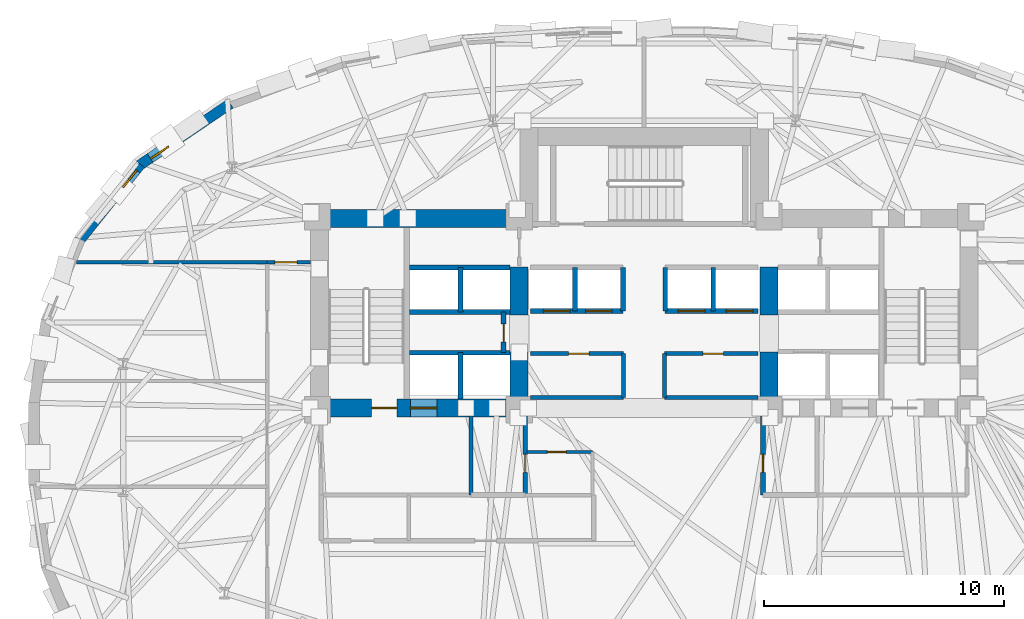
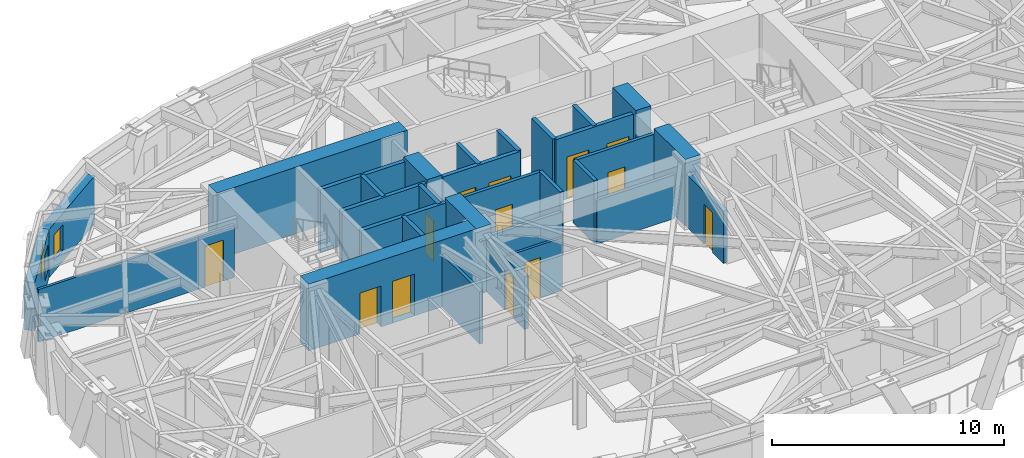
# One storey, part 8 of 14: 32 walls, 13 doors, 2 windows, 15 openings.
"""IFC4 building model written with IfcOpenShell, lengths in metres."""

from ifc_helpers import new_model, si_unit, direction, frame, frame_2d, origin, place, context, subcontext, project, spatial, rectangle, extrude, material, layer, layer_set, type_object, element, fill, save


model = new_model("IFC4")

# Units and contexts
model_context = context("Model", 3, precision=1e-05, world=origin(), true_north=direction((0.0, 1.0)))
body_context = subcontext(model_context, "Body", "Model", "MODEL_VIEW")
ifc_project = project(units=[si_unit("LENGTHUNIT", "METRE"), si_unit("AREAUNIT", "SQUARE_METRE"), si_unit("VOLUMEUNIT", "CUBIC_METRE"), si_unit("PLANEANGLEUNIT", "RADIAN"), si_unit("MASSUNIT", "GRAM", prefix="KILO")], contexts=[model_context])

# Site, building, storey
site_placement = place(None, origin())
site = spatial("IfcSite", under=ifc_project, at=site_placement, CompositionType="ELEMENT")
building_placement = place(site_placement, origin())
building = spatial("IfcBuilding", under=site, at=building_placement, Name="Keldmark Tower", CompositionType="ELEMENT")
storey_placement = place(building_placement, frame((0.0, 0.0, 128.10009765625)))
storey = spatial("IfcBuildingStorey", under=building, at=storey_placement, Name="L34", CompositionType="ELEMENT", Elevation=128.10009765625)

# Wall, opening, door
ifc_material_1 = material(Name="Acoustic Double-Layer Gypsum Corridor Partition", Category="gypsum")
ifc_layer_1 = layer(ifc_material_1, 0.139892578125)
ifc_layer_set_1 = layer_set([ifc_layer_1], Name="Acoustic Double-Layer Gypsum Corridor Partition")
wall_type_1 = type_object("IfcWallType", Name="Acoustic Corridor Partition 140 mm", PredefinedType="PARTITIONING", material=ifc_layer_set_1)
wall_1_placement = place(storey_placement, frame((-15.699951171875, 7.550048828125, 0.0), z_axis=(0.0, 0.0, 1.0), x_axis=(1.0, 0.0, 0.0)))
wall_1 = element("IfcWall", 1, at=wall_1_placement, inside=storey, type_object=wall_type_1, Name="L34 Acoustic Corridor Partition 140 mm COR-WN-CAP", PredefinedType="PARTITIONING", context=body_context, shape_type="SweptSolid", body=[
    extrude(rectangle(XDim=1.800048828125, YDim=0.139892578125, at=frame_2d((0.89990234375, 0.0))), origin(), (0.0, 0.0, 1.0), 2.762939453125),
])
opening_1_placement = place(wall_1_placement, frame((0.320068359375, 0.0, 0.0)))
opening_1 = element("IfcOpeningElement", 2, at=opening_1_placement, cuts=wall_1, Name="Opening D-EX092", PredefinedType="OPENING", context=body_context, shape_type="SweptSolid", body=[
    extrude(rectangle(XDim=0.919921875, YDim=2.14990234375, at=frame_2d((0.4599609375, 1.074951171875))), frame((0.0, 0.079833984375, 0.0), z_axis=(0.0, -1.0, 0.0), x_axis=(1.0, 0.0, 0.0)), (0.0, 0.0, 1.0), 0.159912109375),
])
ifc_material_2 = material(Name="Flush American Ash Executive Office Door", Category="wood")
door_type_1 = type_object("IfcDoorType", Name="Executive Office Door 920x2150", OperationType="NOTDEFINED", PredefinedType="DOOR", material=ifc_material_2)
door_1_placement = place(opening_1_placement, origin())
door_1 = element("IfcDoor", 3, at=door_1_placement, inside=storey, type_object=door_type_1, Name="L34 Executive Office Door 920x2150 D-NRNW-L34", OperationType="SINGLE_SWING_LEFT", OverallHeight=2.14990234375, OverallWidth=0.919921875, PredefinedType="DOOR", context=body_context, shape_type="SweptSolid", body=[
    extrude(rectangle(XDim=0.919921875, YDim=2.14990234375, at=frame_2d((0.4599609375, 1.074951171875))), frame((0.0, 0.02490234375, 0.0), z_axis=(0.0, -1.0, 0.0), x_axis=(1.0, 0.0, 0.0)), (0.0, 0.0, 1.0), 0.050048828125),
])
fill(opening_1, door_1)

ifc_material_3 = material(Name="Acoustic Gypsum Board Interior Partition", Category="gypsum")
ifc_layer_2 = layer(ifc_material_3, 0.1298828125)
ifc_layer_set_2 = layer_set([ifc_layer_2], Name="Acoustic Gypsum Board Interior Partition")
wall_type_2 = type_object("IfcWallType", Name="Interior Partition 130 mm", PredefinedType="PARTITIONING", material=ifc_layer_set_2)
wall_2_placement = place(storey_placement, frame((-4.8798828125, -0.35009765625, 0.0), z_axis=(0.0, 0.0, 1.0), x_axis=(1.0, 0.0, 0.0)))
wall_2 = element("IfcWall", 4, at=wall_2_placement, inside=storey, type_object=wall_type_2, Name="L34 Interior Partition 130 mm CSC-W-N", PredefinedType="PARTITIONING", context=body_context, shape_type="SweptSolid", body=[
    extrude(rectangle(XDim=2.72998046875, YDim=0.1298828125, at=frame_2d((1.364990234375, 0.0))), origin(), (0.0, 0.0, 1.0), 2.762939453125),
])
opening_2_placement = place(wall_2_placement, frame((0.85009765625, 0.0, 0.0)))
opening_2 = element("IfcOpeningElement", 5, at=opening_2_placement, cuts=wall_2, Name="Opening D-CL078", PredefinedType="OPENING", context=body_context, shape_type="SweptSolid", body=[
    extrude(rectangle(XDim=0.780029296875, YDim=2.10009765625, at=frame_2d((0.39013671875, 1.050048828125))), frame((0.0, 0.074951171875, 0.0), z_axis=(0.0, -1.0, 0.0), x_axis=(1.0, 0.0, 0.0)), (0.0, 0.0, 1.0), 0.14990234375),
])
ifc_material_4 = material(Name="Flush Utility Closet Timber Door", Category="wood")
door_type_2 = type_object("IfcDoorType", Name="Closet Door 780x2100", OperationType="NOTDEFINED", PredefinedType="DOOR", material=ifc_material_4)
door_2_placement = place(opening_2_placement, origin())
door_2 = element("IfcDoor", 6, at=door_2_placement, inside=storey, type_object=door_type_2, Name="L34 Closet Door 780x2100 D-CSCW1-L34", OperationType="SINGLE_SWING_RIGHT", OverallHeight=2.10009765625, OverallWidth=0.780029296875, PredefinedType="DOOR", context=body_context, shape_type="SweptSolid", body=[
    extrude(rectangle(XDim=0.780029296875, YDim=2.10009765625, at=frame_2d((0.39013671875, 1.050048828125))), frame((0.0, 0.02490234375, 0.0), z_axis=(0.0, -1.0, 0.0), x_axis=(1.0, 0.0, 0.0)), (0.0, 0.0, 1.0), 0.050048828125),
])
fill(opening_2, door_2)

# Walls
wall_3_placement = place(storey_placement, frame((-23.638671875, 7.550048828125, 0.0), z_axis=(0.0, 0.0, 1.0), x_axis=(1.0, 0.0, 0.0)))
element("IfcWall", 7, at=wall_3_placement, inside=storey, type_object=wall_type_2, Name="L34 Interior Partition 130 mm W-CAP-N", PredefinedType="PARTITIONING", context=body_context, shape_type="SweptSolid", body=[
    extrude(rectangle(XDim=7.938720703125, YDim=0.1298828125, at=frame_2d((3.96923828125, 0.0))), origin(), (0.0, 0.0, 1.0), 2.762939453125),
])
ifc_material_5 = material(Name="Concrete C70/85", Category="concrete")
ifc_layer_3 = layer(ifc_material_5, 0.75)
ifc_layer_set_3 = layer_set([ifc_layer_3], Name="Concrete C70/85")
wall_type_3 = type_object("IfcWallType", Name="Low-Mid Core Shear Wall 750 mm", PredefinedType="SHEAR", material=ifc_layer_set_3)
wall_4_placement = place(storey_placement, frame((-13.89990234375, 9.375, 0.0), z_axis=(0.0, 0.0, 1.0), x_axis=(1.0, 0.0, 0.0)))
element("IfcWall", 8, at=wall_4_placement, inside=storey, type_object=wall_type_3, Name="L34 West Core North Shear Wall", PredefinedType="SHEAR", context=body_context, shape_type="SweptSolid", body=[
    extrude(rectangle(XDim=9.474853515625, YDim=0.75, at=frame_2d((4.7373046875, 0.0))), origin(), (0.0, 0.0, 1.0), 3.5),
])

# Wall, openings, doors
wall_5_placement = place(storey_placement, frame((-4.824951171875, 1.47509765625, 0.0), z_axis=(0.0, 0.0, 1.0), x_axis=(-1.0, 0.0, 0.0)))
wall_5 = element("IfcWall", 9, at=wall_5_placement, inside=storey, type_object=wall_type_3, Name="L34 West Core South Shear Wall", PredefinedType="SHEAR", context=body_context, shape_type="SweptSolid", body=[
    extrude(rectangle(XDim=9.074951171875, YDim=0.75, at=frame_2d((4.53759765625, 0.0))), origin(), (0.0, 0.0, 1.0), 3.5),
])
opening_3_placement = place(wall_5_placement, frame((5.47509765625, 0.0, 0.0)))
opening_3 = element("IfcOpeningElement", 10, at=opening_3_placement, cuts=wall_5, Name="Opening D-ST105", PredefinedType="OPENING", context=body_context, shape_type="SweptSolid", body=[
    extrude(rectangle(XDim=1.050048828125, YDim=2.14990234375, at=frame_2d((0.52490234375, 1.074951171875))), frame((0.0, 0.385009765625, 0.0), z_axis=(0.0, -1.0, 0.0), x_axis=(1.0, 0.0, 0.0)), (0.0, 0.0, 1.0), 0.77001953125),
])
opening_4_placement = place(wall_5_placement, frame((3.804931640625, 0.0, 0.0)))
opening_4 = element("IfcOpeningElement", 11, at=opening_4_placement, cuts=wall_5, Name="Opening LD-110", PredefinedType="OPENING", context=body_context, shape_type="SweptSolid", body=[
    extrude(rectangle(XDim=1.10009765625, YDim=2.199951171875, at=frame_2d((0.550048828125, 1.10009765625))), frame((0.0, 0.385009765625, 0.0), z_axis=(0.0, -1.0, 0.0), x_axis=(1.0, 0.0, 0.0)), (0.0, 0.0, 1.0), 0.77001953125),
])
ifc_material_6 = material(Name="Brushed Bronze Hoistway Sliding Leaf", Category="metal")
door_type_3 = type_object("IfcDoorType", Name="Lift Landing Sliding Door 1100x2200", OperationType="SLIDING_TO_LEFT", PredefinedType="DOOR", material=ifc_material_6)
door_3_placement = place(opening_4_placement, origin())
door_3 = element("IfcDoor", 12, at=door_3_placement, inside=storey, type_object=door_type_3, Name="L34 Lift Landing Sliding Door 1100x2200 LD-EL-FS1-L34", OperationType="SLIDING_TO_LEFT", OverallHeight=2.199951171875, OverallWidth=1.10009765625, PredefinedType="DOOR", context=body_context, shape_type="SweptSolid", body=[
    extrude(rectangle(XDim=1.10009765625, YDim=2.199951171875, at=frame_2d((0.550048828125, 1.10009765625))), frame((0.0, 0.02490234375, 0.0), z_axis=(0.0, -1.0, 0.0), x_axis=(1.0, 0.0, 0.0)), (0.0, 0.0, 1.0), 0.050048828125),
])
fill(opening_4, door_3)
ifc_material_7 = material(Name="Hollow Metal Fire-Rated Door Assembly", Category="metal")
door_type_4 = type_object("IfcDoorType", Name="Stair Fire Door 1050x2150", OperationType="NOTDEFINED", PredefinedType="DOOR", material=ifc_material_7)
door_4_placement = place(opening_3_placement, origin())
door_4 = element("IfcDoor", 13, at=door_4_placement, inside=storey, type_object=door_type_4, Name="L34 Stair Fire Door 1050x2150 D-ST1-L34", OperationType="SINGLE_SWING_RIGHT", OverallHeight=2.14990234375, OverallWidth=1.050048828125, PredefinedType="DOOR", context=body_context, shape_type="SweptSolid", body=[
    extrude(rectangle(XDim=1.050048828125, YDim=2.14990234375, at=frame_2d((0.52490234375, 1.074951171875))), frame((0.0, 0.02490234375, 0.0), z_axis=(0.0, -1.0, 0.0), x_axis=(1.0, 0.0, 0.0)), (0.0, 0.0, 1.0), 0.050048828125),
])
fill(opening_3, door_4)

# Walls
wall_6_placement = place(storey_placement, frame((-5.199951171875, 1.10009765625, 0.0), z_axis=(0.0, 0.0, 1.0), x_axis=(0.0, 1.0, 0.0)))
element("IfcWall", 14, at=wall_6_placement, inside=storey, type_object=wall_type_3, Name="L34 West Core Inner Shear Pier South", PredefinedType="SHEAR", context=body_context, shape_type="SweptSolid", body=[
    extrude(rectangle(XDim=2.699951171875, YDim=0.75, at=frame_2d((1.35009765625, 0.0))), origin(), (0.0, 0.0, 1.0), 3.5),
])
wall_7_placement = place(storey_placement, frame((-5.199951171875, 5.35009765625, 0.0), z_axis=(0.0, 0.0, 1.0), x_axis=(0.0, 1.0, 0.0)))
element("IfcWall", 15, at=wall_7_placement, inside=storey, type_object=wall_type_3, Name="L34 West Core Inner Shear Pier North", PredefinedType="SHEAR", context=body_context, shape_type="SweptSolid", body=[
    extrude(rectangle(XDim=2.0, YDim=0.75, at=frame_2d((1.0, 0.0))), origin(), (0.0, 0.0, 1.0), 3.5),
])
wall_8_placement = place(storey_placement, frame((5.199951171875, 1.10009765625, 0.0), z_axis=(0.0, 0.0, 1.0), x_axis=(0.0, 1.0, 0.0)))
element("IfcWall", 16, at=wall_8_placement, inside=storey, type_object=wall_type_3, Name="L34 East Core Inner Shear Pier South", PredefinedType="SHEAR", context=body_context, shape_type="SweptSolid", body=[
    extrude(rectangle(XDim=2.699951171875, YDim=0.75, at=frame_2d((1.35009765625, 0.0))), origin(), (0.0, 0.0, 1.0), 3.5),
])
wall_9_placement = place(storey_placement, frame((5.199951171875, 5.35009765625, 0.0), z_axis=(0.0, 0.0, 1.0), x_axis=(0.0, 1.0, 0.0)))
element("IfcWall", 17, at=wall_9_placement, inside=storey, type_object=wall_type_3, Name="L34 East Core Inner Shear Pier North", PredefinedType="SHEAR", context=body_context, shape_type="SweptSolid", body=[
    extrude(rectangle(XDim=2.0, YDim=0.75, at=frame_2d((1.0, 0.0))), origin(), (0.0, 0.0, 1.0), 3.5),
])
ifc_material_8 = material(Name="Type X Fire-Rated Gypsum Partition Assembly", Category="gypsum")
ifc_layer_4 = layer(ifc_material_8, 0.1650390625)
ifc_layer_set_4 = layer_set([ifc_layer_4], Name="Type X Fire-Rated Gypsum Partition Assembly")
wall_type_4 = type_object("IfcWallType", Name="Rated Partition 165 mm", PredefinedType="PARTITIONING", material=ifc_layer_set_4)
wall_10_placement = place(storey_placement, frame((-7.199951171875, -2.14990234375, 0.0), z_axis=(0.0, 0.0, 1.0), x_axis=(0.0, 1.0, 0.0)))
element("IfcWall", 18, at=wall_10_placement, inside=storey, type_object=wall_type_4, Name="L34 Rated Partition 165 mm FSAE-W-E", PredefinedType="PARTITIONING", context=body_context, shape_type="SweptSolid", body=[
    extrude(rectangle(XDim=3.2998046875, YDim=0.1650390625, at=frame_2d((1.64990234375, 0.0))), origin(), (0.0, 0.0, 1.0), 2.762939453125),
])
wall_11_placement = place(storey_placement, frame((-4.739990234375, 1.919921875, 0.0), z_axis=(0.0, 0.0, 1.0), x_axis=(1.0, 0.0, 0.0)))
element("IfcWall", 19, at=wall_11_placement, inside=storey, type_object=wall_type_4, Name="L34 Rated Partition 165 mm REC-LW-S", PredefinedType="PARTITIONING", context=body_context, shape_type="SweptSolid", body=[
    extrude(rectangle(XDim=3.889892578125, YDim=0.1650390625, at=frame_2d((1.94482421875, 0.0))), origin(), (0.0, 0.0, 1.0), 2.2998046875),
])

# Wall, opening, door
wall_12_placement = place(storey_placement, frame((-4.739990234375, 3.739990234375, 0.0), z_axis=(0.0, 0.0, 1.0), x_axis=(1.0, 0.0, 0.0)))
wall_12 = element("IfcWall", 20, at=wall_12_placement, inside=storey, type_object=wall_type_4, Name="L34 Rated Partition 165 mm REC-LW-N", PredefinedType="PARTITIONING", context=body_context, shape_type="SweptSolid", body=[
    extrude(rectangle(XDim=3.889892578125, YDim=0.1650390625, at=frame_2d((1.94482421875, 0.0))), origin(), (0.0, 0.0, 1.0), 3.309814453125),
])
opening_5_placement = place(wall_12_placement, frame((1.60009765625, 0.0, 0.0)))
opening_5 = element("IfcOpeningElement", 21, at=opening_5_placement, cuts=wall_12, Name="Opening D-SV085", PredefinedType="OPENING", context=body_context, shape_type="SweptSolid", body=[
    extrude(rectangle(XDim=0.85009765625, YDim=2.10009765625, at=frame_2d((0.425048828125, 1.050048828125))), frame((0.0, 0.092529296875, 0.0), z_axis=(0.0, -1.0, 0.0), x_axis=(1.0, 0.0, 0.0)), (0.0, 0.0, 1.0), 0.18505859375),
])
ifc_material_9 = material(Name="Painted Hollow Metal Door Assembly", Category="metal")
door_type_5 = type_object("IfcDoorType", Name="Service Door 850x2100", OperationType="NOTDEFINED", PredefinedType="DOOR", material=ifc_material_9)
door_5_placement = place(opening_5_placement, origin())
door_5 = element("IfcDoor", 22, at=door_5_placement, inside=storey, type_object=door_type_5, Name="L34 Service Door 850x2100 D-RECLW1-L34", OperationType="SINGLE_SWING_LEFT", OverallHeight=2.10009765625, OverallWidth=0.85009765625, PredefinedType="DOOR", context=body_context, shape_type="SweptSolid", body=[
    extrude(rectangle(XDim=0.85009765625, YDim=2.10009765625, at=frame_2d((0.425048828125, 1.050048828125))), frame((0.0, 0.02490234375, 0.0), z_axis=(0.0, -1.0, 0.0), x_axis=(1.0, 0.0, 0.0)), (0.0, 0.0, 1.0), 0.050048828125),
])
fill(opening_5, door_5)

# Walls
wall_13_placement = place(storey_placement, frame((-0.85009765625, 1.919921875, 0.0), z_axis=(0.0, 0.0, 1.0), x_axis=(0.0, 1.0, 0.0)))
element("IfcWall", 23, at=wall_13_placement, inside=storey, type_object=wall_type_4, Name="L34 Rated Partition 165 mm REC-LW-E", PredefinedType="PARTITIONING", context=body_context, shape_type="SweptSolid", body=[
    extrude(rectangle(XDim=1.820068359375, YDim=0.1650390625, at=frame_2d((0.91015625, 0.0))), origin(), (0.0, 0.0, 1.0), 3.309814453125),
])
wall_14_placement = place(storey_placement, frame((0.85009765625, 1.919921875, 0.0), z_axis=(0.0, 0.0, 1.0), x_axis=(1.0, 0.0, 0.0)))
element("IfcWall", 24, at=wall_14_placement, inside=storey, type_object=wall_type_4, Name="L34 Rated Partition 165 mm REC-LE-S", PredefinedType="PARTITIONING", context=body_context, shape_type="SweptSolid", body=[
    extrude(rectangle(XDim=3.889892578125, YDim=0.1650390625, at=frame_2d((1.94482421875, 0.0))), origin(), (0.0, 0.0, 1.0), 2.2998046875),
])

# Wall, opening, door
wall_15_placement = place(storey_placement, frame((0.85009765625, 3.739990234375, 0.0), z_axis=(0.0, 0.0, 1.0), x_axis=(1.0, 0.0, 0.0)))
wall_15 = element("IfcWall", 25, at=wall_15_placement, inside=storey, type_object=wall_type_4, Name="L34 Rated Partition 165 mm REC-LE-N", PredefinedType="PARTITIONING", context=body_context, shape_type="SweptSolid", body=[
    extrude(rectangle(XDim=3.889892578125, YDim=0.1650390625, at=frame_2d((1.94482421875, 0.0))), origin(), (0.0, 0.0, 1.0), 3.309814453125),
])
opening_6_placement = place(wall_15_placement, frame((1.60009765625, 0.0, 0.0)))
opening_6 = element("IfcOpeningElement", 26, at=opening_6_placement, cuts=wall_15, Name="Opening D-SV085", PredefinedType="OPENING", context=body_context, shape_type="SweptSolid", body=[
    extrude(rectangle(XDim=0.85009765625, YDim=2.10009765625, at=frame_2d((0.425048828125, 1.050048828125))), frame((0.0, 0.092529296875, 0.0), z_axis=(0.0, -1.0, 0.0), x_axis=(1.0, 0.0, 0.0)), (0.0, 0.0, 1.0), 0.18505859375),
])
door_6_placement = place(opening_6_placement, origin())
door_6 = element("IfcDoor", 27, at=door_6_placement, inside=storey, type_object=door_type_5, Name="L34 Service Door 850x2100 D-RECLE1-L34", OperationType="SINGLE_SWING_RIGHT", OverallHeight=2.10009765625, OverallWidth=0.85009765625, PredefinedType="DOOR", context=body_context, shape_type="SweptSolid", body=[
    extrude(rectangle(XDim=0.85009765625, YDim=2.10009765625, at=frame_2d((0.425048828125, 1.050048828125))), frame((0.0, 0.02490234375, 0.0), z_axis=(0.0, -1.0, 0.0), x_axis=(1.0, 0.0, 0.0)), (0.0, 0.0, 1.0), 0.050048828125),
])
fill(opening_6, door_6)

# Wall
wall_16_placement = place(storey_placement, frame((0.85009765625, 1.919921875, 0.0), z_axis=(0.0, 0.0, 1.0), x_axis=(0.0, 1.0, 0.0)))
element("IfcWall", 28, at=wall_16_placement, inside=storey, type_object=wall_type_4, Name="L34 Rated Partition 165 mm REC-LE-W", PredefinedType="PARTITIONING", context=body_context, shape_type="SweptSolid", body=[
    extrude(rectangle(XDim=1.820068359375, YDim=0.1650390625, at=frame_2d((0.91015625, 0.0))), origin(), (0.0, 0.0, 1.0), 3.309814453125),
])

# Wall, opening, door
ifc_material_10 = material(Name="Fire-Resistant Type X Gypsum Shaftliner Coreboard", Category="gypsum")
ifc_layer_5 = layer(ifc_material_10, 0.199951171875)
ifc_layer_set_5 = layer_set([ifc_layer_5], Name="Fire-Resistant Type X Gypsum Shaftliner Coreboard")
wall_type_5 = type_object("IfcWallType", Name="Shaft Wall 200 mm", PredefinedType="SOLIDWALL", material=ifc_layer_set_5)
wall_17_placement = place(storey_placement, frame((-4.949951171875, -2.14990234375, 0.0), z_axis=(0.0, 0.0, 1.0), x_axis=(0.0, 1.0, 0.0)))
wall_17 = element("IfcWall", 29, at=wall_17_placement, inside=storey, type_object=wall_type_5, Name="L34 Shaft Wall 200 mm RIS-SW-E", PredefinedType="SOLIDWALL", context=body_context, shape_type="SweptSolid", body=[
    extrude(rectangle(XDim=3.2998046875, YDim=0.199951171875, at=frame_2d((1.64990234375, 0.0))), origin(), (0.0, 0.0, 1.0), 2.762939453125),
])
opening_7_placement = place(wall_17_placement, frame((0.949951171875, 0.0, 0.0)))
opening_7 = element("IfcOpeningElement", 30, at=opening_7_placement, cuts=wall_17, Name="Opening D-RS075", PredefinedType="OPENING", context=body_context, shape_type="SweptSolid", body=[
    extrude(rectangle(XDim=0.75, YDim=2.10009765625, at=frame_2d((0.375, 1.050048828125))), frame((0.0, 0.10986328125, 0.0), z_axis=(0.0, -1.0, 0.0), x_axis=(1.0, 0.0, 0.0)), (0.0, 0.0, 1.0), 0.219970703125),
])
ifc_material_11 = material(Name="Galvanized Fire-Rated Access Leaf", Category="metal")
door_type_6 = type_object("IfcDoorType", Name="Riser Access Door 750x2100", OperationType="NOTDEFINED", PredefinedType="DOOR", material=ifc_material_11)
door_7_placement = place(opening_7_placement, origin())
door_7 = element("IfcDoor", 31, at=door_7_placement, inside=storey, type_object=door_type_6, Name="L34 Riser Access Door 750x2100 D-RISSW-L34", OperationType="SINGLE_SWING_RIGHT", OverallHeight=2.10009765625, OverallWidth=0.75, PredefinedType="DOOR", context=body_context, shape_type="SweptSolid", body=[
    extrude(rectangle(XDim=0.75, YDim=2.10009765625, at=frame_2d((0.375, 1.050048828125))), frame((0.0, 0.02490234375, 0.0), z_axis=(0.0, -1.0, 0.0), x_axis=(1.0, 0.0, 0.0)), (0.0, 0.0, 1.0), 0.050048828125),
])
fill(opening_7, door_7)

wall_18_placement = place(storey_placement, frame((4.949951171875, -2.14990234375, 0.0), z_axis=(0.0, 0.0, 1.0), x_axis=(0.0, 1.0, 0.0)))
wall_18 = element("IfcWall", 32, at=wall_18_placement, inside=storey, type_object=wall_type_5, Name="L34 Shaft Wall 200 mm RIS-SE-W", PredefinedType="SOLIDWALL", context=body_context, shape_type="SweptSolid", body=[
    extrude(rectangle(XDim=3.2998046875, YDim=0.199951171875, at=frame_2d((1.64990234375, 0.0))), origin(), (0.0, 0.0, 1.0), 2.762939453125),
])
opening_8_placement = place(wall_18_placement, frame((0.949951171875, 0.0, 0.0)))
opening_8 = element("IfcOpeningElement", 33, at=opening_8_placement, cuts=wall_18, Name="Opening D-RS075", PredefinedType="OPENING", context=body_context, shape_type="SweptSolid", body=[
    extrude(rectangle(XDim=0.75, YDim=2.10009765625, at=frame_2d((0.375, 1.050048828125))), frame((0.0, 0.10986328125, 0.0), z_axis=(0.0, -1.0, 0.0), x_axis=(1.0, 0.0, 0.0)), (0.0, 0.0, 1.0), 0.219970703125),
])
door_8_placement = place(opening_8_placement, origin())
door_8 = element("IfcDoor", 34, at=door_8_placement, inside=storey, type_object=door_type_6, Name="L34 Riser Access Door 750x2100 D-RISSE-L34", OperationType="SINGLE_SWING_LEFT", OverallHeight=2.10009765625, OverallWidth=0.75, PredefinedType="DOOR", context=body_context, shape_type="SweptSolid", body=[
    extrude(rectangle(XDim=0.75, YDim=2.10009765625, at=frame_2d((0.375, 1.050048828125))), frame((0.0, 0.02490234375, 0.0), z_axis=(0.0, -1.0, 0.0), x_axis=(1.0, 0.0, 0.0)), (0.0, 0.0, 1.0), 0.050048828125),
])
fill(opening_8, door_8)

# Walls
wall_19_placement = place(storey_placement, frame((-9.780029296875, 3.780029296875, 0.0), z_axis=(0.0, 0.0, 1.0), x_axis=(1.0, 0.0, 0.0)))
element("IfcWall", 35, at=wall_19_placement, inside=storey, type_object=wall_type_5, Name="L34 Shaft Wall 200 mm HW-W-S", PredefinedType="SOLIDWALL", context=body_context, shape_type="SweptSolid", body=[
    extrude(rectangle(XDim=4.205078125, YDim=0.199951171875, at=frame_2d((2.1025390625, 0.0))), origin(), (0.0, 0.0, 1.0), 3.309814453125),
])
wall_20_placement = place(storey_placement, frame((-7.64990234375, 1.85009765625, 0.0), z_axis=(0.0, 0.0, 1.0), x_axis=(0.0, 1.0, 0.0)))
element("IfcWall", 36, at=wall_20_placement, inside=storey, type_object=wall_type_5, Name="L34 Shaft Wall 200 mm HW-W-M", PredefinedType="SOLIDWALL", context=body_context, shape_type="SweptSolid", body=[
    extrude(rectangle(XDim=1.929931640625, YDim=0.199951171875, at=frame_2d((0.96484375, 0.0))), origin(), (0.0, 0.0, 1.0), 3.309814453125),
])
for number, where, z_axis, x_axis, name in (
    (37, (-9.780029296875, 5.469970703125, 0.0), (0.0, 0.0, 1.0), (1.0, 0.0, 0.0), "L34 Shaft Wall 200 mm HW-W-N"),
    (38, (-9.780029296875, 7.330078125, 0.0), (0.0, 0.0, 1.0), (1.0, 0.0, 0.0), "L34 Shaft Wall 200 mm HW-W-TOP"),
):
    element("IfcWall", number, at=place(storey_placement, frame(where, z_axis=z_axis, x_axis=x_axis)), inside=storey, type_object=wall_type_5, Name=name, PredefinedType="SOLIDWALL", context=body_context, shape_type="SweptSolid", body=[
        extrude(rectangle(XDim=4.205078125, YDim=0.199951171875, at=frame_2d((2.1025390625, 0.0))), origin(), (0.0, 0.0, 1.0), 3.309814453125),
    ])
wall_21_placement = place(storey_placement, frame((-7.64990234375, 5.469970703125, 0.0), z_axis=(0.0, 0.0, 1.0), x_axis=(0.0, 1.0, 0.0)))
element("IfcWall", 39, at=wall_21_placement, inside=storey, type_object=wall_type_5, Name="L34 Shaft Wall 200 mm HW-W-NM", PredefinedType="SOLIDWALL", context=body_context, shape_type="SweptSolid", body=[
    extrude(rectangle(XDim=1.860107421875, YDim=0.199951171875, at=frame_2d((0.93017578125, 0.0))), origin(), (0.0, 0.0, 1.0), 3.309814453125),
])

# Wall, opening, door
wall_22_placement = place(storey_placement, frame((-5.85009765625, 3.780029296875, 0.0), z_axis=(0.0, 0.0, 1.0), x_axis=(0.0, 1.0, 0.0)))
wall_22 = element("IfcWall", 40, at=wall_22_placement, inside=storey, type_object=wall_type_5, Name="L34 Shaft Wall 200 mm HW-W-CLOSE", PredefinedType="SOLIDWALL", context=body_context, shape_type="SweptSolid", body=[
    extrude(rectangle(XDim=1.68994140625, YDim=0.199951171875, at=frame_2d((0.844970703125, 0.0))), origin(), (0.0, 0.0, 1.0), 3.309814453125),
])
opening_9_placement = place(wall_22_placement, frame((0.449951171875, 0.0, 0.0)))
opening_9 = element("IfcOpeningElement", 41, at=opening_9_placement, cuts=wall_22, Name="Opening D-RS075", PredefinedType="OPENING", context=body_context, shape_type="SweptSolid", body=[
    extrude(rectangle(XDim=0.75, YDim=2.10009765625, at=frame_2d((0.375, 1.050048828125))), frame((0.0, 0.10986328125, 0.0), z_axis=(0.0, -1.0, 0.0), x_axis=(1.0, 0.0, 0.0)), (0.0, 0.0, 1.0), 0.219970703125),
])
door_9_placement = place(opening_9_placement, origin())
door_9 = element("IfcDoor", 42, at=door_9_placement, inside=storey, type_object=door_type_6, Name="L34 Riser Access Door 750x2100 D-RISHW-L34", OperationType="SINGLE_SWING_RIGHT", OverallHeight=2.10009765625, OverallWidth=0.75, PredefinedType="DOOR", context=body_context, shape_type="SweptSolid", body=[
    extrude(rectangle(XDim=0.75, YDim=2.10009765625, at=frame_2d((0.375, 1.050048828125))), frame((0.0, 0.02490234375, 0.0), z_axis=(0.0, -1.0, 0.0), x_axis=(1.0, 0.0, 0.0)), (0.0, 0.0, 1.0), 0.050048828125),
])
fill(opening_9, door_9)

# Wall, openings, doors
wall_23_placement = place(storey_placement, frame((-4.739990234375, 5.52001953125, 0.0), z_axis=(0.0, 0.0, 1.0), x_axis=(1.0, 0.0, 0.0)))
wall_23 = element("IfcWall", 43, at=wall_23_placement, inside=storey, type_object=wall_type_5, Name="L34 Shaft Wall 200 mm MID-S-W", PredefinedType="SOLIDWALL", context=body_context, shape_type="SweptSolid", body=[
    extrude(rectangle(XDim=3.860107421875, YDim=0.199951171875, at=frame_2d((1.93017578125, 0.0))), origin(), (0.0, 0.0, 1.0), 3.309814453125),
])
opening_10_placement = place(wall_23_placement, frame((0.550048828125, 0.0, 0.0)))
opening_10 = element("IfcOpeningElement", 44, at=opening_10_placement, cuts=wall_23, Name="Opening LD-110", PredefinedType="OPENING", context=body_context, shape_type="SweptSolid", body=[
    extrude(rectangle(XDim=1.10009765625, YDim=2.199951171875, at=frame_2d((0.550048828125, 1.10009765625))), frame((0.0, 0.10986328125, 0.0), z_axis=(0.0, -1.0, 0.0), x_axis=(1.0, 0.0, 0.0)), (0.0, 0.0, 1.0), 0.219970703125),
])
opening_11_placement = place(wall_23_placement, frame((2.300048828125, 0.0, 0.0)))
opening_11 = element("IfcOpeningElement", 45, at=opening_11_placement, cuts=wall_23, Name="Opening LD-110", PredefinedType="OPENING", context=body_context, shape_type="SweptSolid", body=[
    extrude(rectangle(XDim=1.10009765625, YDim=2.199951171875, at=frame_2d((0.550048828125, 1.10009765625))), frame((0.0, 0.10986328125, 0.0), z_axis=(0.0, -1.0, 0.0), x_axis=(1.0, 0.0, 0.0)), (0.0, 0.0, 1.0), 0.219970703125),
])
door_10_placement = place(opening_10_placement, origin())
door_10 = element("IfcDoor", 46, at=door_10_placement, inside=storey, type_object=door_type_3, Name="L34 Lift Landing Sliding Door 1100x2200 LD-EL-M1-L34", OperationType="SLIDING_TO_LEFT", OverallHeight=2.199951171875, OverallWidth=1.10009765625, PredefinedType="DOOR", context=body_context, shape_type="SweptSolid", body=[
    extrude(rectangle(XDim=1.10009765625, YDim=2.199951171875, at=frame_2d((0.550048828125, 1.10009765625))), frame((0.0, 0.02490234375, 0.0), z_axis=(0.0, -1.0, 0.0), x_axis=(1.0, 0.0, 0.0)), (0.0, 0.0, 1.0), 0.050048828125),
])
fill(opening_10, door_10)
door_11_placement = place(opening_11_placement, origin())
door_11 = element("IfcDoor", 47, at=door_11_placement, inside=storey, type_object=door_type_3, Name="L34 Lift Landing Sliding Door 1100x2200 LD-EL-M2-L34", OperationType="SLIDING_TO_LEFT", OverallHeight=2.199951171875, OverallWidth=1.10009765625, PredefinedType="DOOR", context=body_context, shape_type="SweptSolid", body=[
    extrude(rectangle(XDim=1.10009765625, YDim=2.199951171875, at=frame_2d((0.550048828125, 1.10009765625))), frame((0.0, 0.02490234375, 0.0), z_axis=(0.0, -1.0, 0.0), x_axis=(1.0, 0.0, 0.0)), (0.0, 0.0, 1.0), 0.050048828125),
])
fill(opening_11, door_11)

wall_24_placement = place(storey_placement, frame((0.8798828125, 5.52001953125, 0.0), z_axis=(0.0, 0.0, 1.0), x_axis=(1.0, 0.0, 0.0)))
wall_24 = element("IfcWall", 48, at=wall_24_placement, inside=storey, type_object=wall_type_5, Name="L34 Shaft Wall 200 mm MID-S-E", PredefinedType="SOLIDWALL", context=body_context, shape_type="SweptSolid", body=[
    extrude(rectangle(XDim=3.860107421875, YDim=0.199951171875, at=frame_2d((1.93017578125, 0.0))), origin(), (0.0, 0.0, 1.0), 3.309814453125),
])
opening_12_placement = place(wall_24_placement, frame((0.550048828125, 0.0, 0.0)))
opening_12 = element("IfcOpeningElement", 49, at=opening_12_placement, cuts=wall_24, Name="Opening LD-110", PredefinedType="OPENING", context=body_context, shape_type="SweptSolid", body=[
    extrude(rectangle(XDim=1.10009765625, YDim=2.199951171875, at=frame_2d((0.550048828125, 1.10009765625))), frame((0.0, 0.10986328125, 0.0), z_axis=(0.0, -1.0, 0.0), x_axis=(1.0, 0.0, 0.0)), (0.0, 0.0, 1.0), 0.219970703125),
])
opening_13_placement = place(wall_24_placement, frame((2.550048828125, 0.0, 0.0)))
opening_13 = element("IfcOpeningElement", 50, at=opening_13_placement, cuts=wall_24, Name="Opening LD-110", PredefinedType="OPENING", context=body_context, shape_type="SweptSolid", body=[
    extrude(rectangle(XDim=1.10009765625, YDim=2.199951171875, at=frame_2d((0.550048828125, 1.10009765625))), frame((0.0, 0.10986328125, 0.0), z_axis=(0.0, -1.0, 0.0), x_axis=(1.0, 0.0, 0.0)), (0.0, 0.0, 1.0), 0.219970703125),
])
door_12_placement = place(opening_12_placement, origin())
door_12 = element("IfcDoor", 51, at=door_12_placement, inside=storey, type_object=door_type_3, Name="L34 Lift Landing Sliding Door 1100x2200 LD-EL-M3-L34", OperationType="SLIDING_TO_LEFT", OverallHeight=2.199951171875, OverallWidth=1.10009765625, PredefinedType="DOOR", context=body_context, shape_type="SweptSolid", body=[
    extrude(rectangle(XDim=1.10009765625, YDim=2.199951171875, at=frame_2d((0.550048828125, 1.10009765625))), frame((0.0, 0.02490234375, 0.0), z_axis=(0.0, -1.0, 0.0), x_axis=(1.0, 0.0, 0.0)), (0.0, 0.0, 1.0), 0.050048828125),
])
fill(opening_12, door_12)
door_13_placement = place(opening_13_placement, origin())
door_13 = element("IfcDoor", 52, at=door_13_placement, inside=storey, type_object=door_type_3, Name="L34 Lift Landing Sliding Door 1100x2200 LD-EL-M4-L34", OperationType="SLIDING_TO_LEFT", OverallHeight=2.199951171875, OverallWidth=1.10009765625, PredefinedType="DOOR", context=body_context, shape_type="SweptSolid", body=[
    extrude(rectangle(XDim=1.10009765625, YDim=2.199951171875, at=frame_2d((0.550048828125, 1.10009765625))), frame((0.0, 0.02490234375, 0.0), z_axis=(0.0, -1.0, 0.0), x_axis=(1.0, 0.0, 0.0)), (0.0, 0.0, 1.0), 0.050048828125),
])
fill(opening_13, door_13)

# Walls
for number, where, z_axis, x_axis, name in (
    (53, (-2.8798828125, 5.52001953125, 0.0), (0.0, 0.0, 1.0), (0.0, 1.0, 0.0), "L34 Shaft Wall 200 mm MID-M-W"),
    (54, (2.8798828125, 5.52001953125, 0.0), (0.0, 0.0, 1.0), (0.0, 1.0, 0.0), "L34 Shaft Wall 200 mm MID-M-E"),
    (55, (-0.8798828125, 5.52001953125, 0.0), (0.0, 0.0, 1.0), (0.0, 1.0, 0.0), "L34 Shaft Wall 200 mm MID-C-W"),
    (56, (0.8798828125, 5.52001953125, 0.0), (0.0, 0.0, 1.0), (0.0, 1.0, 0.0), "L34 Shaft Wall 200 mm MID-C-E"),
):
    element("IfcWall", number, at=place(storey_placement, frame(where, z_axis=z_axis, x_axis=x_axis)), inside=storey, type_object=wall_type_5, Name=name, PredefinedType="SOLIDWALL", context=body_context, shape_type="SweptSolid", body=[
        extrude(rectangle(XDim=1.81005859375, YDim=0.199951171875, at=frame_2d((0.905029296875, 0.0))), origin(), (0.0, 0.0, 1.0), 3.309814453125),
    ])

# Wall, opening, window
ifc_material_12 = material(Name="Ironspot Manganese Brick and Kasota Buff Limestone Spandrel Assembly", Category="masonry")
ifc_layer_6 = layer(ifc_material_12, 0.43994140625)
ifc_layer_set_6 = layer_set([ifc_layer_6], Name="Ironspot Manganese Brick and Kasota Buff Limestone Spandrel Assembly")
wall_type_6 = type_object("IfcWallType", Name="Tower Brick Pier and Spandrel Wall 440 mm", PredefinedType="STANDARD", material=ifc_layer_set_6)
wall_25_placement = place(storey_placement, frame((-21.023681640625, 11.5849609375, 0.0), z_axis=(0.0, 0.0, 1.0), x_axis=(0.827687941294, 0.561188624116, 0.0)))
wall_25 = element("IfcWall", 57, at=wall_25_placement, inside=storey, type_object=wall_type_6, Name="L34 Exterior Brick and Spandrel Wall 12", PredefinedType="STANDARD", context=body_context, shape_type="SweptSolid", body=[
    extrude(rectangle(XDim=4.58154296875, YDim=0.43994140625, at=frame_2d((2.290771484375, 0.0))), origin(), (0.0, 0.0, 1.0), 2.52783203125),
])
opening_14_placement = place(wall_25_placement, frame((0.548095703125, 0.0, 0.580078125)))
opening_14 = element("IfcOpeningElement", 58, at=opening_14_placement, cuts=wall_25, Name="Opening W-09", PredefinedType="OPENING", context=body_context, shape_type="SweptSolid", body=[
    extrude(rectangle(XDim=0.89990234375, YDim=1.35009765625, at=frame_2d((0.449951171875, 0.675048828125))), frame((0.0, 0.22998046875, 0.0), z_axis=(0.0, -1.0, 0.0), x_axis=(1.0, 0.0, 0.0)), (0.0, 0.0, 1.0), 0.4599609375),
])
ifc_material_13 = material(Name="Thermally Broken Anodized Aluminum and Triple Low-E Argon Glazing", Category="aluminium")
window_type = type_object("IfcWindowType", Name="Corner Pier Deep-Set Window 900x1350", PartitioningType="SINGLE_PANEL", PredefinedType="WINDOW", material=ifc_material_13)
window_1_placement = place(opening_14_placement, origin())
window_1 = element("IfcWindow", 59, at=window_1_placement, inside=storey, type_object=window_type, Name="L34 Deep-Set Window 12", OverallHeight=1.35009765625, OverallWidth=0.89990234375, PartitioningType="SINGLE_PANEL", PredefinedType="WINDOW", context=body_context, shape_type="SweptSolid", body=[
    extrude(rectangle(XDim=0.89990234375, YDim=1.35009765625, at=frame_2d((0.449951171875, 0.675048828125))), frame((0.0, -0.010009765625, 0.0), z_axis=(0.0, -1.0, 0.0), x_axis=(1.0, 0.0, 0.0)), (0.0, 0.0, 1.0), 0.06005859375),
])
fill(opening_14, window_1)

wall_26_placement = place(storey_placement, frame((-23.522705078125, 8.449462890625, 0.0), z_axis=(0.0, 0.0, 1.0), x_axis=(0.625169926256, 0.780488669556, 0.0)))
wall_26 = element("IfcWall", 60, at=wall_26_placement, inside=storey, type_object=wall_type_6, Name="L34 Exterior Brick and Spandrel Wall 13", PredefinedType="STANDARD", context=body_context, shape_type="SweptSolid", body=[
    extrude(rectangle(XDim=4.07421875, YDim=0.43994140625, at=frame_2d((2.037109375, 0.0))), origin(), (0.0, 0.0, 1.0), 2.52783203125),
])
opening_15_placement = place(wall_26_placement, frame((2.875244140625, 0.0, 0.580078125)))
opening_15 = element("IfcOpeningElement", 61, at=opening_15_placement, cuts=wall_26, Name="Opening W-09", PredefinedType="OPENING", context=body_context, shape_type="SweptSolid", body=[
    extrude(rectangle(XDim=0.89990234375, YDim=1.35009765625, at=frame_2d((0.449951171875, 0.675048828125))), frame((0.0, 0.22998046875, 0.0), z_axis=(0.0, -1.0, 0.0), x_axis=(1.0, 0.0, 0.0)), (0.0, 0.0, 1.0), 0.4599609375),
])
window_2_placement = place(opening_15_placement, origin())
window_2 = element("IfcWindow", 62, at=window_2_placement, inside=storey, type_object=window_type, Name="L34 Deep-Set Window 13", OverallHeight=1.35009765625, OverallWidth=0.89990234375, PartitioningType="SINGLE_PANEL", PredefinedType="WINDOW", context=body_context, shape_type="SweptSolid", body=[
    extrude(rectangle(XDim=0.89990234375, YDim=1.35009765625, at=frame_2d((0.449951171875, 0.675048828125))), frame((0.0, -0.010009765625, 0.0), z_axis=(0.0, -1.0, 0.0), x_axis=(1.0, 0.0, 0.0)), (0.0, 0.0, 1.0), 0.06005859375),
])
fill(opening_15, window_2)

save(model, "model.ifc")
